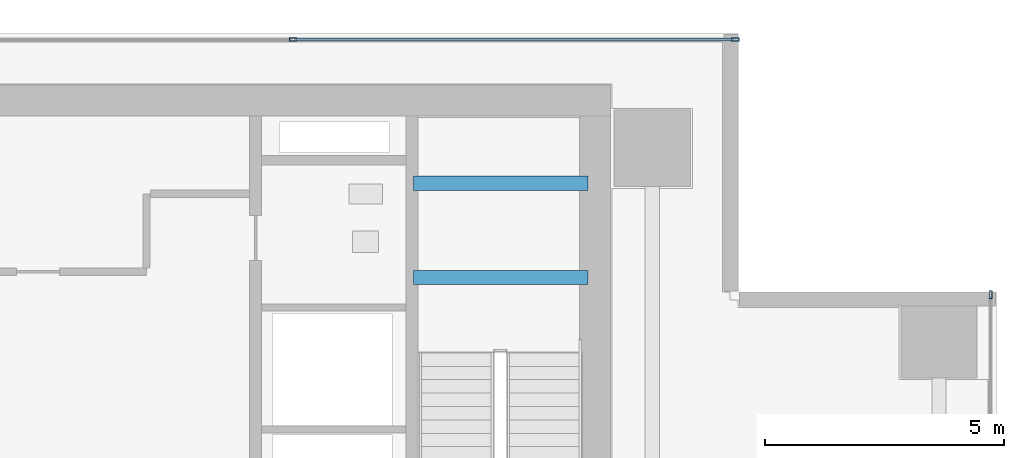
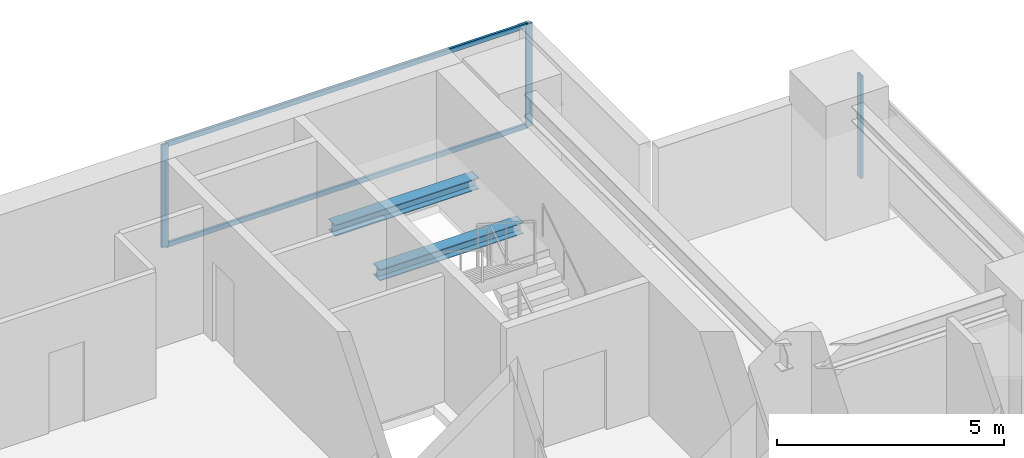
# One storey, part 19 of 27: 5 members, 2 beams, 2 elements without a shape of their own.
"""IFC4 building model written with IfcOpenShell, lengths in metres."""

from ifc_helpers import new_model, si_unit, direction, frame, origin, origin_2d, place, context, subcontext, project, spatial, hollow_rectangle, i_section, extrude, source, transform, mapped, material, layer, layer_set, material_profile, profile_set, type_object, element, aggregate, save


model = new_model("IFC4")

# Units and contexts
model_context = context("Model", 3, precision=1e-05, world=origin(), true_north=direction((0.0, 1.0)))
body_context = subcontext(model_context, "Body", "Model", "MODEL_VIEW")
ifc_project = project(units=[si_unit("LENGTHUNIT", "METRE"), si_unit("AREAUNIT", "SQUARE_METRE"), si_unit("VOLUMEUNIT", "CUBIC_METRE"), si_unit("PLANEANGLEUNIT", "RADIAN"), si_unit("MASSUNIT", "GRAM", prefix="KILO")], contexts=[model_context])

# Site, building, storey
site_placement = place(None, origin())
site = spatial("IfcSite", under=ifc_project, at=site_placement, CompositionType="ELEMENT")
building_placement = place(site_placement, origin())
building = spatial("IfcBuilding", under=site, at=building_placement, Name="Sumidabori Civic Tower", CompositionType="ELEMENT")
storey_placement = place(building_placement, frame((0.0, 0.0, 156.800048828125)))
storey = spatial("IfcBuildingStorey", under=building, at=storey_placement, Name="L40", CompositionType="ELEMENT", Elevation=156.800048828125)

# Beams
ifc_material_1 = material(Name="Steel SN490", Category="steel")
ifc_material_profile_1 = material_profile(ifc_material_1, i_section(OverallWidth=0.300048828125, OverallDepth=0.300048828125, WebThickness=0.010986328125, FlangeThickness=0.01904296875, at=origin_2d()), Name="HE 300 B")
ifc_profile_set_1 = profile_set([ifc_material_profile_1], Name="Steel SN490")
beam_type = type_object("IfcBeamType", Name="BM-LDG-300", PredefinedType="BEAM", material=ifc_profile_set_1)
shared_shape_1 = source(origin(), body_context, "Body", "SweptSolid", [
    extrude(i_section(OverallWidth=0.300048828125, OverallDepth=0.300048828125, WebThickness=0.010986328125, FlangeThickness=0.01904296875, at=origin_2d()), origin(), (0.0, 0.0, 1.0), 3.64990234375),
])
for number, where, z_axis, x_axis, name in (
    (1, (11.800048828125, 20.09765625, 1.449951171875), (1.0, 0.0, 0.0), (0.0, 1.0, 0.0), "Stair ST-2 Landing Support Beam L40-1A"),
    (2, (11.800048828125, 22.069580078125, 1.449951171875), (1.0, 0.0, 0.0), (0.0, 1.0, 0.0), "Stair ST-2 Landing Trimmer Beam L40-1B"),
):
    element("IfcBeam", number, at=place(storey_placement, frame(where, z_axis=z_axis, x_axis=x_axis)), inside=storey, type_object=beam_type, Name=name, PredefinedType="BEAM", context=body_context, shape_type="MappedRepresentation", body=[
        mapped(shared_shape_1, transform((0.0, 0.0, 0.0), x_axis=(1.0, 0.0, 0.0), y_axis=(0.0, 1.0, 0.0), z_axis=(0.0, 0.0, 1.0), scale=1.0)),
    ])

# Curtain wall, member
ifc_material_2 = material(Name="Anodised Bronze Aluminium AW-6063-T6", Category="aluminium")
ifc_layer = layer(ifc_material_2, 0.179931640625, Name="Anodised Bronze Aluminium AW-6063-T6")
ifc_layer_set = layer_set([ifc_layer], Name="Anodised Bronze Aluminium AW-6063-T6")
curtain_wall_type = type_object("IfcCurtainWallType", Name="CW-SYS-3", PredefinedType="NOTDEFINED", material=ifc_layer_set)
curtain_wall_1_placement = place(storey_placement, origin())
curtain_wall_1 = element("IfcCurtainWall", 3, at=curtain_wall_1_placement, inside=storey, type_object=curtain_wall_type, Name="Curtain Wall CW:L40:R04", PredefinedType="NOTDEFINED")
ifc_material_profile_2 = material_profile(ifc_material_2, hollow_rectangle(XDim=0.06494140625, YDim=0.159912109375, WallThickness=0.0048828125, at=origin_2d()), Name="ALU MULLION 160x65")
ifc_profile_set_2 = profile_set([ifc_material_profile_2], Name="Anodised Bronze Aluminium AW-6063-T6")
member_type_1 = type_object("IfcMemberType", Name="CW-MUL-160", PredefinedType="MULLION", material=ifc_profile_set_2)
shared_shape_2 = source(origin(), body_context, "Body", "SweptSolid", [
    extrude(hollow_rectangle(XDim=0.06494140625, YDim=0.159912109375, WallThickness=0.0048828125, at=origin_2d()), origin(), (0.0, 0.0, 1.0), 2.760009765625),
])
member_1_placement = place(storey_placement, frame((23.8798828125, 19.737548828125, 0.0), z_axis=(0.0, 0.0, 1.0), x_axis=(-1.0, 0.0, 0.0)))
member_1 = element("IfcMember", 4, at=member_1_placement, type_object=member_type_1, Name="CW-3 mullion 5", PredefinedType="MULLION", context=body_context, shape_type="MappedRepresentation", body=[
    mapped(shared_shape_2, transform((0.0, 0.0, 0.0), x_axis=(1.0, 0.0, 0.0), y_axis=(0.0, 1.0, 0.0), z_axis=(0.0, 0.0, 1.0), scale=1.0)),
])
aggregate(curtain_wall_1, [member_1])

# Curtain wall, members
curtain_wall_2_placement = place(storey_placement, origin())
curtain_wall_2 = element("IfcCurtainWall", 5, at=curtain_wall_2_placement, inside=storey, type_object=curtain_wall_type, Name="Curtain Wall CW:L40:R07", PredefinedType="NOTDEFINED")
member_2_placement = place(storey_placement, frame((18.53759765625, 25.080078125, 0.0), z_axis=(0.0, 0.0, 1.0), x_axis=(0.0, -1.0, 0.0)))
member_2 = element("IfcMember", 6, at=member_2_placement, type_object=member_type_1, Name="CW-3 mullion 1", PredefinedType="MULLION", context=body_context, shape_type="MappedRepresentation", body=[
    mapped(shared_shape_2, transform((0.0, 0.0, 0.0), x_axis=(1.0, 0.0, 0.0), y_axis=(0.0, 1.0, 0.0), z_axis=(0.0, 0.0, 1.0), scale=1.0)),
])
member_3_placement = place(storey_placement, frame((9.284912109375, 25.080078125, 0.0), z_axis=(0.0, 0.0, 1.0), x_axis=(0.0, -1.0, 0.0)))
member_3 = element("IfcMember", 7, at=member_3_placement, type_object=member_type_1, Name="CW-3 mullion 2", PredefinedType="MULLION", context=body_context, shape_type="MappedRepresentation", body=[
    mapped(shared_shape_2, transform((0.0, 0.0, 0.0), x_axis=(1.0, 0.0, 0.0), y_axis=(0.0, 1.0, 0.0), z_axis=(0.0, 0.0, 1.0), scale=1.0)),
])
ifc_material_profile_3 = material_profile(ifc_material_2, hollow_rectangle(XDim=0.06005859375, YDim=0.1298828125, WallThickness=0.0048828125, at=origin_2d()), Name="ALU TRANSOM 130x60")
ifc_profile_set_3 = profile_set([ifc_material_profile_3], Name="Anodised Bronze Aluminium AW-6063-T6")
member_type_2 = type_object("IfcMemberType", Name="CW-TRN-130", PredefinedType="USERDEFINED", material=ifc_profile_set_3)
shared_shape_3 = source(origin(), body_context, "Body", "SweptSolid", [
    extrude(hollow_rectangle(XDim=0.06005859375, YDim=0.1298828125, WallThickness=0.0048828125, at=origin_2d()), origin(), (0.0, 0.0, 1.0), 9.1875),
])
member_4_placement = place(storey_placement, frame((18.5048828125, 25.080078125, 0.030029296875), z_axis=(-1.0, 0.0, 0.0), x_axis=(0.0, -1.0, 0.0)))
member_4 = element("IfcMember", 8, at=member_4_placement, type_object=member_type_2, Name="CW-3 transom 1.1", ObjectType="TRANSOM", PredefinedType="USERDEFINED", context=body_context, shape_type="MappedRepresentation", body=[
    mapped(shared_shape_3, transform((0.0, 0.0, 0.0), x_axis=(1.0, 0.0, 0.0), y_axis=(0.0, 1.0, 0.0), z_axis=(0.0, 0.0, 1.0), scale=1.0)),
])
member_5_placement = place(storey_placement, frame((18.5048828125, 25.080078125, 2.72998046875), z_axis=(-1.0, 0.0, 0.0), x_axis=(0.0, -1.0, 0.0)))
member_5 = element("IfcMember", 9, at=member_5_placement, type_object=member_type_2, Name="CW-3 transom 1.2", ObjectType="TRANSOM", PredefinedType="USERDEFINED", context=body_context, shape_type="MappedRepresentation", body=[
    mapped(shared_shape_3, transform((0.0, 0.0, 0.0), x_axis=(1.0, 0.0, 0.0), y_axis=(0.0, 1.0, 0.0), z_axis=(0.0, 0.0, 1.0), scale=1.0)),
])
aggregate(curtain_wall_2, [member_2, member_3, member_4, member_5])

save(model, "model.ifc")
